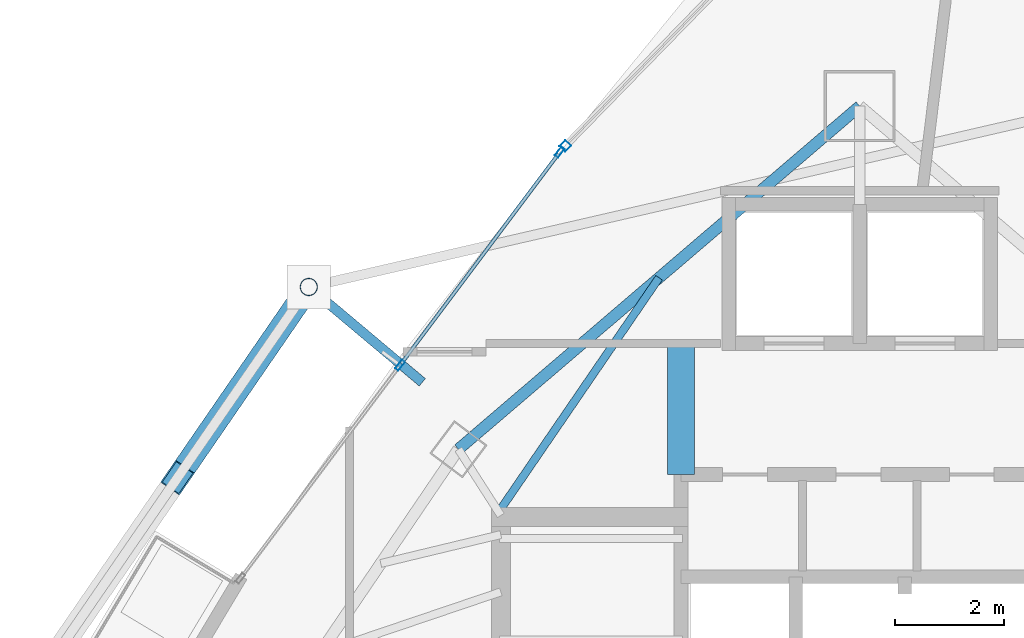
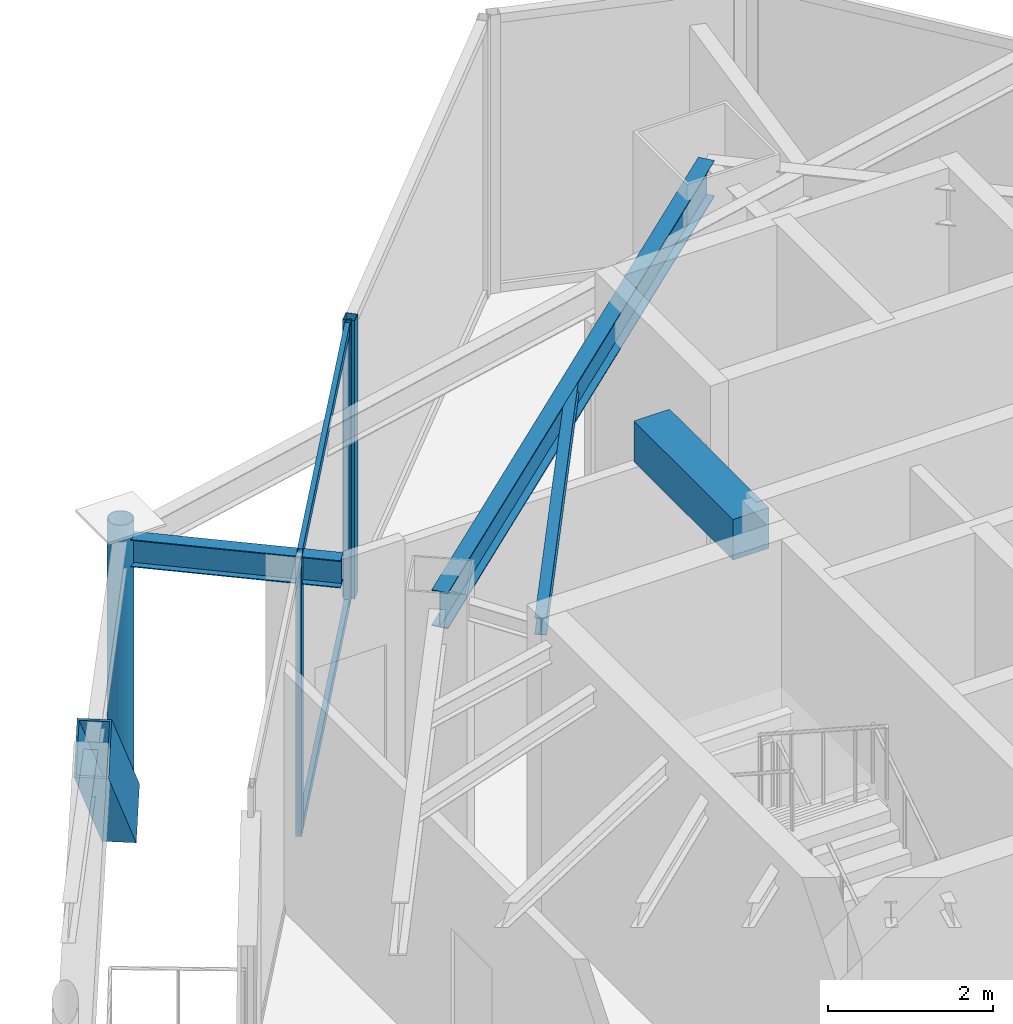
# One storey, part 16 of 25: 7 members, 4 beams, 2 elements without a shape of their own.
"""IFC4 building model written with IfcOpenShell, lengths in metres."""

from ifc_helpers import new_model, si_unit, direction, frame, origin, origin_2d, place, context, subcontext, project, spatial, rectangle, hollow_rectangle, hollow_circle, i_section, extrude, material, layer, layer_set, material_profile, profile_set, type_object, element, aggregate, save


model = new_model("IFC4")

# Units and contexts
model_context = context("Model", 3, precision=1e-05, world=origin(), true_north=direction((0.0, 1.0)))
body_context = subcontext(model_context, "Body", "Model", "MODEL_VIEW")
ifc_project = project(units=[si_unit("LENGTHUNIT", "METRE"), si_unit("AREAUNIT", "SQUARE_METRE"), si_unit("VOLUMEUNIT", "CUBIC_METRE"), si_unit("PLANEANGLEUNIT", "RADIAN"), si_unit("MASSUNIT", "GRAM", prefix="KILO")], contexts=[model_context])

# Site, building, storey
site_placement = place(None, origin())
site = spatial("IfcSite", under=ifc_project, at=site_placement, CompositionType="ELEMENT")
building_placement = place(site_placement, origin())
building = spatial("IfcBuilding", under=site, at=building_placement, Name="Orvanel Arch Residences", CompositionType="ELEMENT")
storey_placement = place(building_placement, frame((0.0, 0.0, 236.0)))
storey = spatial("IfcBuildingStorey", under=building, at=storey_placement, Name="L67", CompositionType="ELEMENT", Elevation=236.0)

# Beam
ifc_material_1 = material(Name="Structural steel AS/NZS 3679.1 Grade 300 (300 MPa)", Category="steel")
ifc_material_profile_1 = material_profile(ifc_material_1, i_section(OverallWidth=0.14599609375, OverallDepth=0.251953125, WebThickness=0.006103515625, FlangeThickness=0.008544921875, at=origin_2d()), Name="250UB31.4")
ifc_profile_set_1 = profile_set([ifc_material_profile_1], Name="Structural steel AS/NZS 3679.1 Grade 300 (300 MPa)")
beam_type_1 = type_object("IfcBeamType", Name="BJ-250UB", PredefinedType="JOIST", material=ifc_profile_set_1)
beam_1_placement = place(storey_placement, frame((26.425048828125, 34.02001953125, 3.98388671875), z_axis=(0.564868085352, 0.825181220188, 0.0), x_axis=(-0.825181220188, 0.564868085352, 0.0)))
element("IfcBeam", 1, at=beam_1_placement, inside=storey, type_object=beam_type_1, Name="L67 NNW2 Wing Floor Joist", PredefinedType="JOIST", context=body_context, shape_type="SweptSolid", body=[
    extrude(i_section(OverallWidth=0.14599609375, OverallDepth=0.251953125, WebThickness=0.006103515625, FlangeThickness=0.008544921875, at=origin_2d()), origin(), (0.0, 0.0, 1.0), 5.132080078125),
])

# Member
ifc_material_2 = material(Name="Structural steel AS/NZS 3678 Grade 350", Category="steel")
ifc_material_profile_2 = material_profile(ifc_material_2, hollow_rectangle(XDim=0.419921875, YDim=0.719970703125, WallThickness=0.02490234375, at=origin_2d()), Name="RHS720x420x25")
ifc_profile_set_2 = profile_set([ifc_material_profile_2], Name="Structural steel AS/NZS 3678 Grade 350")
member_type_1 = type_object("IfcMemberType", Name="BR-720RHS-EXT", PredefinedType="BRACE", material=ifc_profile_set_2)
member_1_placement = place(storey_placement, frame((22.906982421875, 38.0859375, 0.0), z_axis=(-0.416950287937, -0.605799509446, 0.677613025069), x_axis=(0.823747821534, -0.566956370912, 0.0)))
element("IfcMember", 2, at=member_1_placement, inside=storey, type_object=member_type_1, Name="L67 Exterior Sky-Garden V-Frame Chevron F1B1.1", PredefinedType="BRACE", context=body_context, shape_type="SweptSolid", body=[
    extrude(hollow_rectangle(XDim=0.419921875, YDim=0.719970703125, WallThickness=0.02490234375, at=origin_2d()), origin(), (0.0, 0.0, 1.0), 5.765869140625),
])

# Beam
ifc_material_3 = material(Name="Concrete S65 (65 MPa)", Category="concrete")
ifc_material_profile_3 = material_profile(ifc_material_3, rectangle(XDim=0.5, YDim=0.60009765625, at=origin_2d()), Name="RC500x600")
ifc_profile_set_3 = profile_set([ifc_material_profile_3], Name="Concrete S65 (65 MPa)")
beam_type_2 = type_object("IfcBeamType", Name="CB-500x600", PredefinedType="LINTEL", material=ifc_profile_set_3)
beam_2_placement = place(storey_placement, frame((29.72509765625, 34.64990234375, 3.81005859375), z_axis=(0.0, 1.0, 0.0), x_axis=(-1.0, 0.0, 0.0)))
element("IfcBeam", 3, at=beam_2_placement, inside=storey, type_object=beam_type_2, Name="L67 West Core Lobby Coupling Lintel Beam", PredefinedType="LINTEL", context=body_context, shape_type="SweptSolid", body=[
    extrude(rectangle(XDim=0.5, YDim=0.60009765625, at=origin_2d()), origin(), (0.0, 0.0, 1.0), 2.400146484375),
])

# Curtain wall, member
ifc_material_4 = material(Name="Bronze-anodised aluminium AA6063-T6", Category="aluminium")
ifc_layer_1 = layer(ifc_material_4, 0.18994140625)
ifc_layer_set_1 = layer_set([ifc_layer_1], Name="Bronze-anodised aluminium AA6063-T6")
curtain_wall_type_1 = type_object("IfcCurtainWallType", Name="CW5-CRN-SYS", PredefinedType="NOTDEFINED", material=ifc_layer_set_1)
curtain_wall_1_placement = place(storey_placement, origin())
curtain_wall_1 = element("IfcCurtainWall", 4, at=curtain_wall_1_placement, inside=storey, type_object=curtain_wall_type_1, Name="L67 CW5-CRN-SYS Unitised Curtain Wall", PredefinedType="NOTDEFINED")
ifc_material_profile_4 = material_profile(ifc_material_4, hollow_rectangle(XDim=0.14990234375, YDim=0.14990234375, WallThickness=0.0048828125, at=origin_2d()), Name="ALU150x150x5")
ifc_profile_set_4 = profile_set([ifc_material_profile_4], Name="Bronze-anodised aluminium AA6063-T6")
member_type_2 = type_object("IfcMemberType", Name="MUL-150x150", PredefinedType="MULLION", material=ifc_profile_set_4)
member_2_placement = place(storey_placement, frame((27.60546875, 40.669677734375, 0.0), z_axis=(0.0, 0.0, 1.0), x_axis=(0.715820319149, -0.698284519873, 0.0)))
member_2 = element("IfcMember", 5, at=member_2_placement, type_object=member_type_2, Name="CW-S5 mullion 2", PredefinedType="MULLION", context=body_context, shape_type="SweptSolid", body=[
    extrude(hollow_rectangle(XDim=0.14990234375, YDim=0.14990234375, WallThickness=0.0048828125, at=origin_2d()), origin(), (0.0, 0.0, 1.0), 4.110107421875),
])
aggregate(curtain_wall_1, [member_2])

# Curtain wall, members
ifc_layer_2 = layer(ifc_material_4, 0.195068359375)
ifc_layer_set_2 = layer_set([ifc_layer_2], Name="Bronze-anodised aluminium AA6063-T6")
curtain_wall_type_2 = type_object("IfcCurtainWallType", Name="CW6-COM-SYS", PredefinedType="NOTDEFINED", material=ifc_layer_set_2)
curtain_wall_2_placement = place(storey_placement, origin())
curtain_wall_2 = element("IfcCurtainWall", 6, at=curtain_wall_2_placement, inside=storey, type_object=curtain_wall_type_2, Name="L67 CW6-COM-SYS Unitised Curtain Wall", PredefinedType="NOTDEFINED")
ifc_material_profile_5 = material_profile(ifc_material_4, hollow_rectangle(XDim=0.074951171875, YDim=0.199951171875, WallThickness=0.0048828125, at=origin_2d()), Name="ALU200x75x5")
ifc_profile_set_5 = profile_set([ifc_material_profile_5], Name="Bronze-anodised aluminium AA6063-T6")
member_type_3 = type_object("IfcMemberType", Name="MUL-200x75", PredefinedType="MULLION", material=ifc_profile_set_5)
member_3_placement = place(storey_placement, frame((27.50439453125, 40.555908203125, 0.0), z_axis=(0.0, 0.0, 1.0), x_axis=(0.800207454787, -0.599723293947, 0.0)))
member_3 = element("IfcMember", 7, at=member_3_placement, type_object=member_type_3, Name="CW-S6 mullion 1", PredefinedType="MULLION", context=body_context, shape_type="SweptSolid", body=[
    extrude(hollow_rectangle(XDim=0.074951171875, YDim=0.199951171875, WallThickness=0.0048828125, at=origin_2d()), origin(), (0.0, 0.0, 1.0), 4.110107421875),
])
member_4_placement = place(storey_placement, frame((24.5791015625, 36.652587890625, 0.0), z_axis=(0.0, 0.0, 1.0), x_axis=(0.800207454787, -0.599723293947, 0.0)))
member_4 = element("IfcMember", 8, at=member_4_placement, type_object=member_type_3, Name="CW-S6 mullion 2", PredefinedType="MULLION", context=body_context, shape_type="SweptSolid", body=[
    extrude(hollow_rectangle(XDim=0.074951171875, YDim=0.199951171875, WallThickness=0.0048828125, at=origin_2d()), origin(), (0.0, 0.0, 1.0), 4.110107421875),
])

# Beams
ifc_material_profile_6 = material_profile(ifc_material_1, i_section(OverallWidth=0.177978515625, OverallDepth=0.406005859375, WebThickness=0.0078125, FlangeThickness=0.0126953125, at=origin_2d()), Name="410UB59.7")
ifc_profile_set_6 = profile_set([ifc_material_profile_6], Name="Structural steel AS/NZS 3679.1 Grade 300 (300 MPa)")
beam_type_3 = type_object("IfcBeamType", Name="OB-410UB-EXT", PredefinedType="SPANDREL", material=ifc_profile_set_6)
beam_3_placement = place(storey_placement, frame((24.987060546875, 36.339111328125, 3.906982421875), z_axis=(-0.765784537497, 0.643097226032, 0.0), x_axis=(-0.643097226032, -0.765784537497, 0.0)))
element("IfcBeam", 9, at=beam_3_placement, inside=storey, type_object=beam_type_3, Name="L67 Outer Frame Radial Tie Beam 01", PredefinedType="SPANDREL", context=body_context, shape_type="SweptSolid", body=[
    extrude(i_section(OverallWidth=0.177978515625, OverallDepth=0.406005859375, WebThickness=0.0078125, FlangeThickness=0.0126953125, at=origin_2d()), origin(), (0.0, 0.0, 1.0), 2.71630859375),
])
ifc_material_profile_7 = material_profile(ifc_material_1, i_section(OverallWidth=0.208984375, OverallDepth=0.532958984375, WebThickness=0.01025390625, FlangeThickness=0.015625, at=origin_2d()), Name="530UB92.4")
ifc_profile_set_7 = profile_set([ifc_material_profile_7], Name="Structural steel AS/NZS 3679.1 Grade 300 (300 MPa)")
beam_type_4 = type_object("IfcBeamType", Name="SP-530UB", PredefinedType="SPANDREL", material=ifc_profile_set_7)
beam_4_placement = place(storey_placement, frame((33.0, 41.39794921875, 3.843994140625), z_axis=(-0.760116518398, -0.649786794617, 0.0), x_axis=(0.649786794617, -0.760116518398, 0.0)))
element("IfcBeam", 10, at=beam_4_placement, inside=storey, type_object=beam_type_4, Name="L67 Perimeter Spandrel Beam 10", PredefinedType="SPANDREL", context=body_context, shape_type="SweptSolid", body=[
    extrude(i_section(OverallWidth=0.208984375, OverallDepth=0.532958984375, WebThickness=0.01025390625, FlangeThickness=0.015625, at=origin_2d()), origin(), (0.0, 0.0, 1.0), 9.67236328125),
])

# Member
ifc_material_5 = material(Name="Structural steel AS/NZS 1163 C350L0 (Grade 350)", Category="steel")
ifc_material_profile_8 = material_profile(ifc_material_5, hollow_circle(Radius=0.162109375, WallThickness=0.0126953125, at=origin_2d()), Name="CHS324x12.7")
ifc_profile_set_8 = profile_set([ifc_material_profile_8], Name="Structural steel AS/NZS 1163 C350L0 (Grade 350)")
member_type_4 = type_object("IfcMemberType", Name="ST-324CHS-EXT", PredefinedType="STRUT", material=ifc_profile_set_8)
member_5_placement = place(storey_placement, frame((22.906982421875, 38.0859375, 0.0), z_axis=(0.0, 0.0, 1.0), x_axis=(1.0, 0.0, 0.0)))
element("IfcMember", 11, at=member_5_placement, inside=storey, type_object=member_type_4, Name="L67 Outer Perimeter Frame Post 01", PredefinedType="STRUT", context=body_context, shape_type="SweptSolid", body=[
    extrude(hollow_circle(Radius=0.162109375, WallThickness=0.0126953125, at=origin_2d()), origin(), (0.0, 0.0, 1.0), 4.35009765625),
])

ifc_material_profile_9 = material_profile(ifc_material_4, hollow_rectangle(XDim=0.06494140625, YDim=0.14990234375, WallThickness=0.00390625, at=origin_2d()), Name="ALU150x65x4")
ifc_profile_set_9 = profile_set([ifc_material_profile_9], Name="Bronze-anodised aluminium AA6063-T6")
member_type_5 = type_object("IfcMemberType", Name="TRN-150x65", PredefinedType="USERDEFINED", material=ifc_profile_set_9)
member_6_placement = place(storey_placement, frame((27.48193359375, 40.52587890625, 0.032470703125), z_axis=(-0.599723434618, -0.80020734936, 0.0), x_axis=(0.80020734936, -0.599723434618, 0.0)))
member_6 = element("IfcMember", 12, at=member_6_placement, type_object=member_type_5, Name="CW-S6 transom 1.1", ObjectType="TRANSOM", PredefinedType="USERDEFINED", context=body_context, shape_type="SweptSolid", body=[
    extrude(hollow_rectangle(XDim=0.06494140625, YDim=0.14990234375, WallThickness=0.00390625, at=origin_2d()), origin(), (0.0, 0.0, 1.0), 4.802734375),
])

member_7_placement = place(storey_placement, frame((27.48193359375, 40.52587890625, 4.077392578125), z_axis=(-0.599723434618, -0.80020734936, 0.0), x_axis=(0.80020734936, -0.599723434618, 0.0)))
member_7 = element("IfcMember", 13, at=member_7_placement, type_object=member_type_5, Name="CW-S6 transom 1.2", ObjectType="TRANSOM", PredefinedType="USERDEFINED", context=body_context, shape_type="SweptSolid", body=[
    extrude(hollow_rectangle(XDim=0.06494140625, YDim=0.14990234375, WallThickness=0.00390625, at=origin_2d()), origin(), (0.0, 0.0, 1.0), 4.802734375),
])

aggregate(curtain_wall_2, [member_3, member_4, member_6, member_7])

save(model, "model.ifc")
